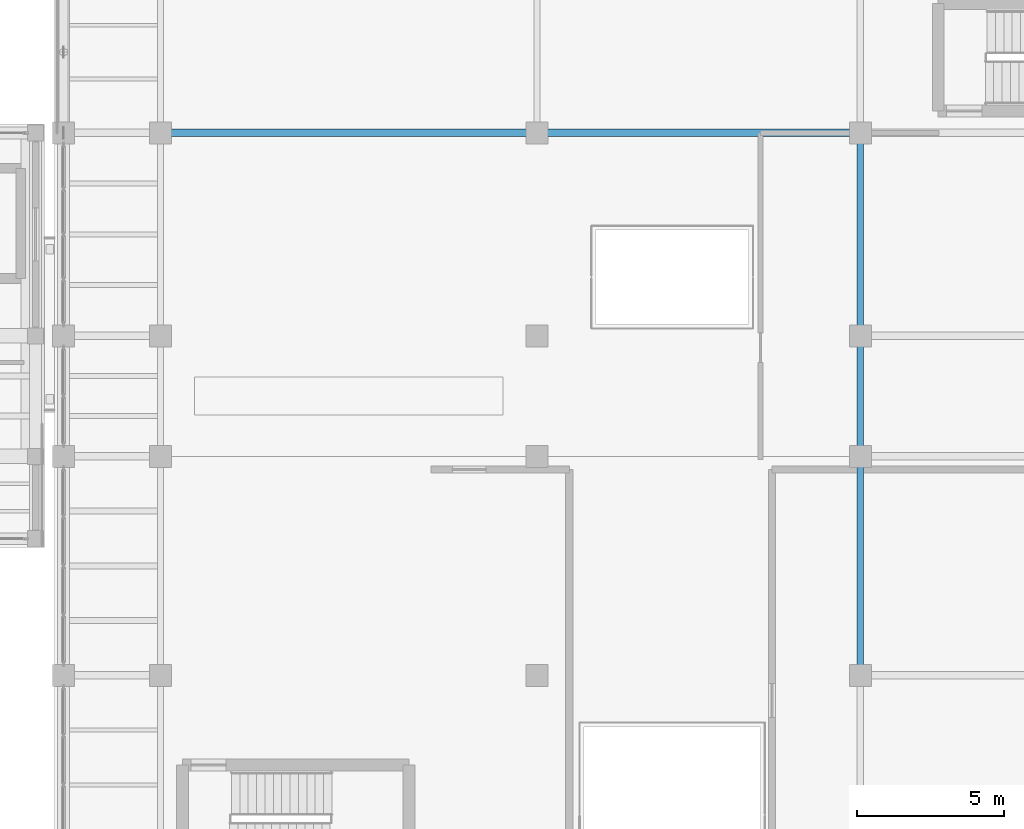
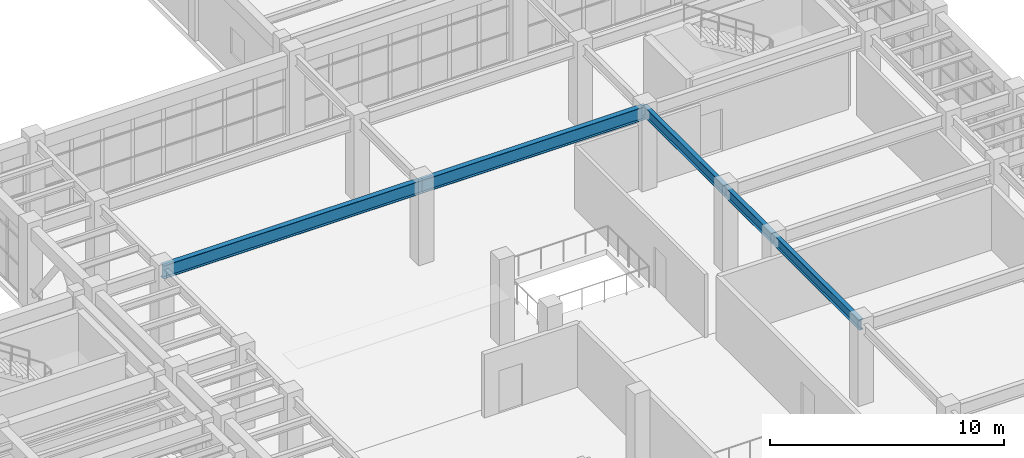
# One storey, part 38 of 85: 5 beams.
"""IFC4 building model written with IfcOpenShell, lengths in metres."""

from ifc_helpers import new_model, si_unit, direction, frame, origin, origin_2d, place, context, subcontext, project, spatial, i_section, extrude, material, material_profile, profile_set, type_object, element, save


model = new_model("IFC4")

# Units and contexts
model_context = context("Model", 3, precision=1e-05, world=origin(), true_north=direction((0.0, 1.0)))
body_context = subcontext(model_context, "Body", "Model", "MODEL_VIEW")
ifc_project = project(units=[si_unit("LENGTHUNIT", "METRE"), si_unit("AREAUNIT", "SQUARE_METRE"), si_unit("VOLUMEUNIT", "CUBIC_METRE"), si_unit("PLANEANGLEUNIT", "RADIAN"), si_unit("MASSUNIT", "GRAM", prefix="KILO")], contexts=[model_context])

# Site, building, storey
site_placement = place(None, origin())
site = spatial("IfcSite", under=ifc_project, at=site_placement, CompositionType="ELEMENT")
building_placement = place(site_placement, origin())
building = spatial("IfcBuilding", under=site, at=building_placement, Name="Candilejo Ridge Gondola Terminal", CompositionType="ELEMENT")
storey_placement = place(building_placement, frame((0.0, 0.0, 4.5)))
storey = spatial("IfcBuildingStorey", under=building, at=storey_placement, Name="L01", CompositionType="ELEMENT", Elevation=4.5)

# Beams
ifc_material_1 = material(Name="Steel ASTM A992 Grade 50", Category="steel")
ifc_material_profile_1 = material_profile(ifc_material_1, i_section(OverallWidth=0.2109375, OverallDepth=0.5390625, WebThickness=0.01171875, FlangeThickness=0.018798828125, at=origin_2d()))
ifc_profile_set_1 = profile_set([ifc_material_profile_1], Name="Steel ASTM A992 Grade 50")
beam_type_1 = type_object("IfcBeamType", Name="STR-BM-W530X109", PredefinedType="BEAM", material=ifc_profile_set_1)
beam_1_placement = place(storey_placement, frame((161.0, 18.25, 3.930419921875), z_axis=(0.0, 1.0, 0.0), x_axis=(-1.0, 0.0, 0.0)))
element("IfcBeam", 1, at=beam_1_placement, inside=storey, type_object=beam_type_1, Name="Beam Y V4 L01 Y03-Y05@X24", PredefinedType="BEAM", context=body_context, shape_type="SweptSolid", body=[
    extrude(i_section(OverallWidth=0.2109375, OverallDepth=0.5390625, WebThickness=0.01171875, FlangeThickness=0.018798828125, at=origin_2d()), origin(), (0.0, 0.0, 1.0), 7.449951171875),
])
beam_2_placement = place(storey_placement, frame((161.0, 25.699951171875, 3.930419921875), z_axis=(0.0, 1.0, 0.0), x_axis=(-1.0, 0.0, 0.0)))
element("IfcBeam", 2, at=beam_2_placement, inside=storey, type_object=beam_type_1, Name="Beam Y V4 L01 Y05-Y06@X24", PredefinedType="BEAM", context=body_context, shape_type="SweptSolid", body=[
    extrude(i_section(OverallWidth=0.2109375, OverallDepth=0.5390625, WebThickness=0.01171875, FlangeThickness=0.018798828125, at=origin_2d()), origin(), (0.0, 0.0, 1.0), 4.10009765625),
])
beam_3_placement = place(storey_placement, frame((161.0, 29.800048828125, 3.930419921875), z_axis=(0.0, 1.0, 0.0), x_axis=(-1.0, 0.0, 0.0)))
element("IfcBeam", 3, at=beam_3_placement, inside=storey, type_object=beam_type_1, Name="Beam Y V4 L01 Y06-Y07@X24", PredefinedType="BEAM", context=body_context, shape_type="SweptSolid", body=[
    extrude(i_section(OverallWidth=0.2109375, OverallDepth=0.5390625, WebThickness=0.01171875, FlangeThickness=0.018798828125, at=origin_2d()), origin(), (0.0, 0.0, 1.0), 6.89990234375),
])
ifc_material_2 = material(Name="Steel ASTM A992 Grade 50", Category="steel")
ifc_material_profile_2 = material_profile(ifc_material_2, i_section(OverallWidth=0.25390625, OverallDepth=0.68408203125, WebThickness=0.012451171875, FlangeThickness=0.018798828125, at=origin_2d()))
ifc_profile_set_2 = profile_set([ifc_material_profile_2], Name="Steel ASTM A992 Grade 50")
beam_type_2 = type_object("IfcBeamType", Name="STR-BM-W690X140", PredefinedType="BEAM", material=ifc_profile_set_2)
beam_4_placement = place(storey_placement, frame((137.199951171875, 36.699951171875, 3.85791015625), z_axis=(1.0, 0.0, 0.0), x_axis=(0.0, 1.0, 0.0)))
element("IfcBeam", 4, at=beam_4_placement, inside=storey, type_object=beam_type_2, Name="Beam X V4 L01 X22-X23@Y07", PredefinedType="BEAM", context=body_context, shape_type="SweptSolid", body=[
    extrude(i_section(OverallWidth=0.25390625, OverallDepth=0.68408203125, WebThickness=0.012451171875, FlangeThickness=0.018798828125, at=origin_2d()), origin(), (0.0, 0.0, 1.0), 12.800048828125),
])
beam_5_placement = place(storey_placement, frame((150.0, 36.699951171875, 3.85791015625), z_axis=(1.0, 0.0, 0.0), x_axis=(0.0, 1.0, 0.0)))
element("IfcBeam", 5, at=beam_5_placement, inside=storey, type_object=beam_type_2, Name="Beam X V4 L01 X23-X24@Y07", PredefinedType="BEAM", context=body_context, shape_type="SweptSolid", body=[
    extrude(i_section(OverallWidth=0.25390625, OverallDepth=0.68408203125, WebThickness=0.012451171875, FlangeThickness=0.018798828125, at=origin_2d()), origin(), (0.0, 0.0, 1.0), 11.0),
])

save(model, "model.ifc")
